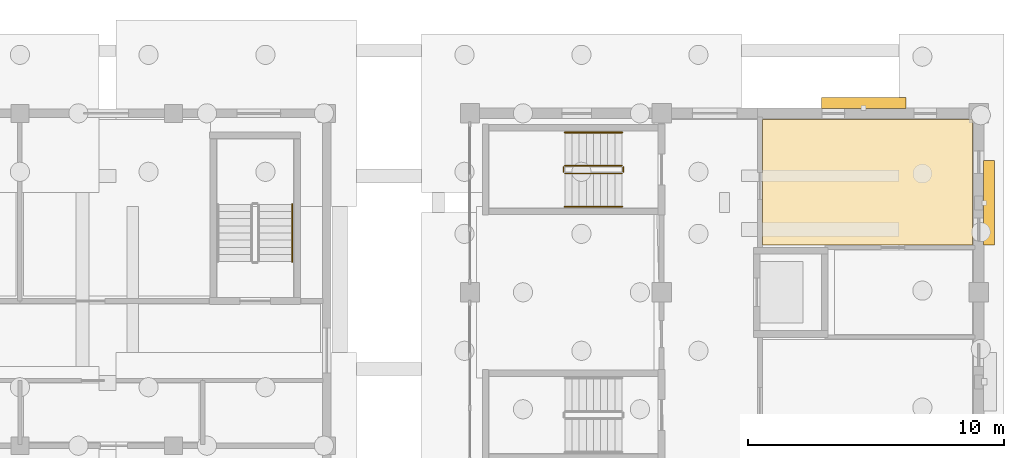
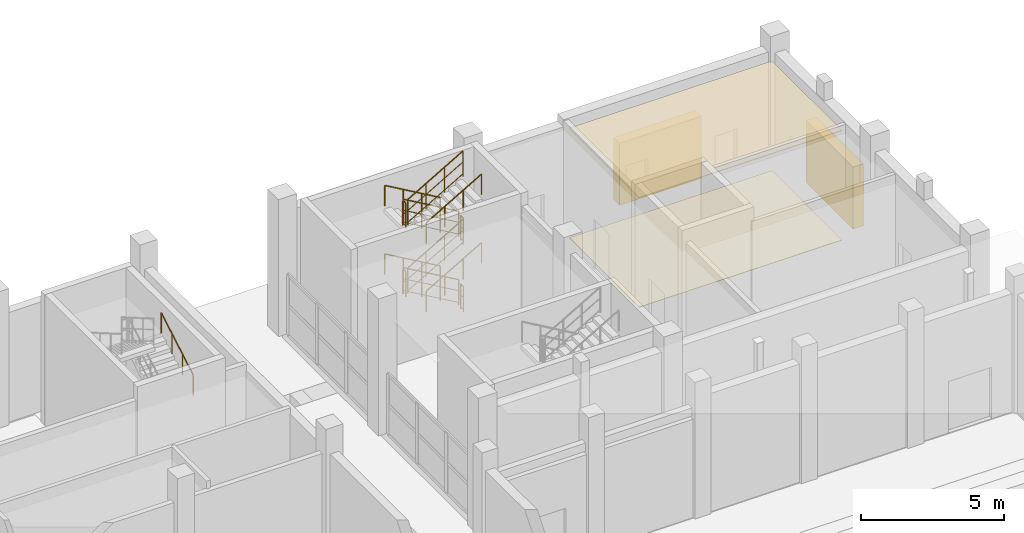
# One storey, part 59 of 60: 13 railings, 2 coverings, 2 shading devices.
"""IFC4 building model written with IfcOpenShell, lengths in metres."""

from ifc_helpers import new_model, si_unit, direction, frame, origin, origin_2d, place, context, subcontext, project, spatial, polyline, rectangle, circle, outline, extrude, material, layer, layer_set, type_object, element, save


model = new_model("IFC4")

# Units and contexts
model_context = context("Model", 3, precision=1e-05, world=origin(), true_north=direction((0.0, 1.0)))
body_context = subcontext(model_context, "Body", "Model", "MODEL_VIEW")
ifc_project = project(units=[si_unit("LENGTHUNIT", "METRE"), si_unit("AREAUNIT", "SQUARE_METRE"), si_unit("VOLUMEUNIT", "CUBIC_METRE"), si_unit("PLANEANGLEUNIT", "RADIAN"), si_unit("MASSUNIT", "GRAM", prefix="KILO")], contexts=[model_context])

# Site, building, storey
site_placement = place(None, origin())
site = spatial("IfcSite", under=ifc_project, at=site_placement, CompositionType="ELEMENT")
building_placement = place(site_placement, origin())
building = spatial("IfcBuilding", under=site, at=building_placement, Name="Trellovar Central Fire Station", CompositionType="ELEMENT")
storey_placement = place(building_placement, origin())
storey = spatial("IfcBuildingStorey", under=building, at=storey_placement, Name="L01", CompositionType="ELEMENT", Elevation=0.0)

# Coverings
ifc_material_1 = material(Name="Perforated acoustic mineral fiber ceiling tile", Category="mineral")
ifc_layer_1 = layer(ifc_material_1, 0.02490234375)
ifc_layer_set_1 = layer_set([ifc_layer_1], Name="Perforated acoustic mineral fiber ceiling tile")
covering_type_1 = type_object("IfcCoveringType", Name="COV-CLG1", PredefinedType="CEILING", material=ifc_layer_set_1)
covering_1_placement = place(storey_placement, frame((0.0, 0.0, 4.679931640625)))
element("IfcCovering", 1, at=covering_1_placement, inside=storey, type_object=covering_type_1, Name="Vertical Hose Drying Standpipe Base suspended ceiling", PredefinedType="CEILING", context=body_context, shape_type="SweptSolid", body=[
    extrude(outline(polyline([(160.75, 67.85009765625), (152.550048828125, 67.85009765625), (152.550048828125, 72.75), (160.75, 72.75), (160.75, 67.85009765625)])), origin(), (0.0, 0.0, 1.0), 0.025146484375),
])
ifc_material_2 = material(Name="Vitrified Catalan ceramic floor tile", Category="masonry")
ifc_layer_2 = layer(ifc_material_2, 0.01806640625)
ifc_layer_set_2 = layer_set([ifc_layer_2], Name="Vitrified Catalan ceramic floor tile")
covering_type_2 = type_object("IfcCoveringType", Name="COV-FLR2", PredefinedType="FLOORING", material=ifc_layer_set_2)
covering_2_placement = place(storey_placement, origin())
element("IfcCovering", 2, at=covering_2_placement, inside=storey, type_object=covering_type_2, Name="Vertical Hose Drying Standpipe Base floor finish", PredefinedType="FLOORING", context=body_context, shape_type="SweptSolid", body=[
    extrude(outline(polyline([(160.75, 67.85009765625), (152.550048828125, 67.85009765625), (152.550048828125, 72.75), (160.75, 72.75), (160.75, 67.85009765625)])), origin(), (0.0, 0.0, 1.0), 0.01806640625),
])

# Railings
ifc_material_3 = material(Name="Patina bronze wrought metalwork", Category="metal")
ifc_layer_3 = layer(ifc_material_3, 0.048095703125)
ifc_layer_set_3 = layer_set([ifc_layer_3], Name="Patina bronze wrought metalwork")
railing_type_1 = type_object("IfcRailingType", Name="RL-STAIR", PredefinedType="HANDRAIL", material=ifc_layer_set_3)
railing_1_placement = place(storey_placement, frame((147.050048828125, 72.25, 0.16259765625)))
element("IfcRailing", 3, at=railing_1_placement, inside=storey, type_object=railing_type_1, Name="L01 ST-06 stair handrail 1", PredefinedType="HANDRAIL", context=body_context, shape_type="SweptSolid", body=[
    extrude(circle(Radius=0.02392578125, at=origin_2d()), frame((0.0, 0.0, 0.8759765625), z_axis=(-0.864928887719, 0.0, 0.501894430323), x_axis=(0.0, -1.0, 0.0)), (0.0, 0.0, 1.0), 2.58984375),
    extrude(circle(Radius=0.02099609375, at=origin_2d()), origin(), (0.0, 0.0, 1.0), 0.851806640625),
    extrude(circle(Radius=0.02099609375, at=origin_2d()), frame((-0.74658203125, 0.0, 0.433349609375)), (0.0, 0.0, 1.0), 0.851806640625),
    extrude(circle(Radius=0.02099609375, at=origin_2d()), frame((-1.493408203125, 0.0, 0.866455078125)), (0.0, 0.0, 1.0), 0.851806640625),
    extrude(circle(Radius=0.02099609375, at=origin_2d()), frame((-2.239990234375, 0.0, 1.2998046875)), (0.0, 0.0, 1.0), 0.851806640625),
])
railing_2_placement = place(storey_placement, frame((144.81005859375, 69.35009765625, 1.625)))
element("IfcRailing", 4, at=railing_2_placement, inside=storey, type_object=railing_type_1, Name="L01 ST-06 stair handrail 2", PredefinedType="HANDRAIL", context=body_context, shape_type="SweptSolid", body=[
    extrude(circle(Radius=0.02392578125, at=origin_2d()), frame((0.0, 0.0, 0.8759765625), z_axis=(0.864887963814, 0.0, 0.501964949025), x_axis=(0.0, 1.0, 0.0)), (0.0, 0.0, 1.0), 2.58984375),
    extrude(circle(Radius=0.02099609375, at=origin_2d()), origin(), (0.0, 0.0, 1.0), 0.851806640625),
    extrude(circle(Radius=0.02099609375, at=origin_2d()), frame((0.74658203125, 0.0, 0.433349609375)), (0.0, 0.0, 1.0), 0.851806640625),
    extrude(circle(Radius=0.02099609375, at=origin_2d()), frame((1.493408203125, 0.0, 0.86669921875)), (0.0, 0.0, 1.0), 0.851806640625),
    extrude(circle(Radius=0.02099609375, at=origin_2d()), frame((2.239990234375, 0.0, 1.300048828125)), (0.0, 0.0, 1.0), 0.851806640625),
])
railing_3_placement = place(storey_placement, frame((147.050048828125, 72.25, 3.08740234375)))
element("IfcRailing", 5, at=railing_3_placement, inside=storey, type_object=railing_type_1, Name="L01 ST-06 stair handrail 3", PredefinedType="HANDRAIL", context=body_context, shape_type="SweptSolid", body=[
    extrude(circle(Radius=0.02392578125, at=origin_2d()), frame((0.0, 0.0, 0.8759765625), z_axis=(-0.864887963814, 0.0, 0.501964949025), x_axis=(0.0, -1.0, 0.0)), (0.0, 0.0, 1.0), 2.58984375),
    extrude(circle(Radius=0.02099609375, at=origin_2d()), origin(), (0.0, 0.0, 1.0), 0.851806640625),
    extrude(circle(Radius=0.02099609375, at=origin_2d()), frame((-0.74658203125, 0.0, 0.433349609375)), (0.0, 0.0, 1.0), 0.851806640625),
    extrude(circle(Radius=0.02099609375, at=origin_2d()), frame((-1.493408203125, 0.0, 0.86669921875)), (0.0, 0.0, 1.0), 0.851806640625),
    extrude(circle(Radius=0.02099609375, at=origin_2d()), frame((-2.239990234375, 0.0, 1.300048828125)), (0.0, 0.0, 1.0), 0.851806640625),
])
railing_4_placement = place(storey_placement, frame((144.81005859375, 69.35009765625, 4.550048828125)))
element("IfcRailing", 6, at=railing_4_placement, inside=storey, type_object=railing_type_1, Name="L01 ST-06 stair handrail 4", PredefinedType="HANDRAIL", context=body_context, shape_type="SweptSolid", body=[
    extrude(circle(Radius=0.02392578125, at=origin_2d()), frame((0.0, 0.0, 0.8759765625), z_axis=(0.864887963814, 0.0, 0.501964949025), x_axis=(0.0, 1.0, 0.0)), (0.0, 0.0, 1.0), 2.58984375),
    extrude(circle(Radius=0.02099609375, at=origin_2d()), origin(), (0.0, 0.0, 1.0), 0.851806640625),
    extrude(circle(Radius=0.02099609375, at=origin_2d()), frame((0.74658203125, 0.0, 0.433349609375)), (0.0, 0.0, 1.0), 0.851806640625),
    extrude(circle(Radius=0.02099609375, at=origin_2d()), frame((1.493408203125, 0.0, 0.86669921875)), (0.0, 0.0, 1.0), 0.851806640625),
    extrude(circle(Radius=0.02099609375, at=origin_2d()), frame((2.239990234375, 0.0, 1.300048828125)), (0.0, 0.0, 1.0), 0.851806640625),
])
railing_5_placement = place(storey_placement, frame((134.14990234375, 67.199951171875, 3.08740234375)))
element("IfcRailing", 7, at=railing_5_placement, inside=storey, type_object=railing_type_1, Name="L01 ST-08 stair handrail 3", PredefinedType="HANDRAIL", context=body_context, shape_type="SweptSolid", body=[
    extrude(circle(Radius=0.02392578125, at=origin_2d()), frame((0.0, 0.0, 0.8759765625), z_axis=(0.0, 0.864887963814, 0.501964949025), x_axis=(-1.0, 0.0, 0.0)), (0.0, 0.0, 1.0), 2.58984375),
    extrude(circle(Radius=0.02099609375, at=origin_2d()), origin(), (0.0, 0.0, 1.0), 0.851806640625),
    extrude(circle(Radius=0.02099609375, at=origin_2d()), frame((0.0, 0.74658203125, 0.433349609375)), (0.0, 0.0, 1.0), 0.851806640625),
    extrude(circle(Radius=0.02099609375, at=origin_2d()), frame((0.0, 1.493408203125, 0.86669921875)), (0.0, 0.0, 1.0), 0.851806640625),
    extrude(circle(Radius=0.02099609375, at=origin_2d()), frame((0.0, 2.239990234375, 1.300048828125)), (0.0, 0.0, 1.0), 0.851806640625),
])
ifc_material_4 = material(Name="Patina bronze wrought metalwork", Category="metal")
ifc_layer_4 = layer(ifc_material_4, 0.050048828125)
ifc_layer_set_4 = layer_set([ifc_layer_4], Name="Patina bronze wrought metalwork")
railing_type_2 = type_object("IfcRailingType", Name="RL-STGUARD", PredefinedType="GUARDRAIL", material=ifc_layer_set_4)
railing_6_placement = place(storey_placement, frame((147.050048828125, 70.949951171875, 0.16259765625)))
element("IfcRailing", 8, at=railing_6_placement, inside=storey, type_object=railing_type_2, Name="L01 ST-06 stair guard 1", PredefinedType="GUARDRAIL", context=body_context, shape_type="SweptSolid", body=[
    extrude(circle(Radius=0.02392578125, at=origin_2d()), frame((0.0, 0.0, 1.076171875), z_axis=(-0.864928887719, 0.0, 0.501894430323), x_axis=(0.0, -1.0, 0.0)), (0.0, 0.0, 1.0), 2.58984375),
    extrude(circle(Radius=0.015625, at=origin_2d()), frame((0.0, 0.0, 0.10009765625), z_axis=(-0.864928887719, 0.0, 0.501894430323), x_axis=(0.0, -1.0, 0.0)), (0.0, 0.0, 1.0), 2.58984375),
    extrude(circle(Radius=0.015625, at=origin_2d()), frame((0.0, 0.0, 0.60498046875), z_axis=(-0.864928887719, 0.0, 0.501894430323), x_axis=(0.0, -1.0, 0.0)), (0.0, 0.0, 1.0), 2.58984375),
    extrude(circle(Radius=0.02099609375, at=origin_2d()), origin(), (0.0, 0.0, 1.0), 1.052001953125),
    extrude(circle(Radius=0.02099609375, at=origin_2d()), frame((-0.74658203125, 0.0, 0.433349609375)), (0.0, 0.0, 1.0), 1.052001953125),
    extrude(circle(Radius=0.02099609375, at=origin_2d()), frame((-1.493408203125, 0.0, 0.866455078125)), (0.0, 0.0, 1.0), 1.052001953125),
    extrude(circle(Radius=0.02099609375, at=origin_2d()), frame((-2.239990234375, 0.0, 1.2998046875)), (0.0, 0.0, 1.0), 1.052001953125),
])
railing_7_placement = place(storey_placement, frame((144.760009765625, 70.89990234375, 1.46240234375)))
element("IfcRailing", 9, at=railing_7_placement, inside=storey, type_object=railing_type_2, Name="L01 ST-06 stair guard 2", PredefinedType="GUARDRAIL", context=body_context, shape_type="SweptSolid", body=[
    extrude(circle(Radius=0.02392578125, at=origin_2d()), frame((0.0, 0.0, 1.076171875), z_axis=(0.0, -1.0, 0.0), x_axis=(1.0, 0.0, 0.0)), (0.0, 0.0, 1.0), 0.199951171875),
    extrude(circle(Radius=0.015625, at=origin_2d()), frame((0.0, 0.0, 0.10009765625), z_axis=(0.0, -1.0, 0.0), x_axis=(1.0, 0.0, 0.0)), (0.0, 0.0, 1.0), 0.199951171875),
    extrude(circle(Radius=0.015625, at=origin_2d()), frame((0.0, 0.0, 0.60498046875), z_axis=(0.0, -1.0, 0.0), x_axis=(1.0, 0.0, 0.0)), (0.0, 0.0, 1.0), 0.199951171875),
    extrude(circle(Radius=0.02099609375, at=origin_2d()), origin(), (0.0, 0.0, 1.0), 1.052001953125),
    extrude(circle(Radius=0.02099609375, at=origin_2d()), frame((0.0, -0.199951171875, 0.0)), (0.0, 0.0, 1.0), 1.052001953125),
])
railing_8_placement = place(storey_placement, frame((144.81005859375, 70.64990234375, 1.625)))
element("IfcRailing", 10, at=railing_8_placement, inside=storey, type_object=railing_type_2, Name="L01 ST-06 stair guard 3", PredefinedType="GUARDRAIL", context=body_context, shape_type="SweptSolid", body=[
    extrude(circle(Radius=0.02392578125, at=origin_2d()), frame((0.0, 0.0, 1.076171875), z_axis=(0.864887963814, 0.0, 0.501964949025), x_axis=(0.0, 1.0, 0.0)), (0.0, 0.0, 1.0), 2.58984375),
    extrude(circle(Radius=0.015625, at=origin_2d()), frame((0.0, 0.0, 0.10009765625), z_axis=(0.864887963814, 0.0, 0.501964949025), x_axis=(0.0, 1.0, 0.0)), (0.0, 0.0, 1.0), 2.58984375),
    extrude(circle(Radius=0.015625, at=origin_2d()), frame((0.0, 0.0, 0.60498046875), z_axis=(0.864887963814, 0.0, 0.501964949025), x_axis=(0.0, 1.0, 0.0)), (0.0, 0.0, 1.0), 2.58984375),
    extrude(circle(Radius=0.02099609375, at=origin_2d()), origin(), (0.0, 0.0, 1.0), 1.052001953125),
    extrude(circle(Radius=0.02099609375, at=origin_2d()), frame((0.74658203125, 0.0, 0.433349609375)), (0.0, 0.0, 1.0), 1.052001953125),
    extrude(circle(Radius=0.02099609375, at=origin_2d()), frame((1.493408203125, 0.0, 0.86669921875)), (0.0, 0.0, 1.0), 1.052001953125),
    extrude(circle(Radius=0.02099609375, at=origin_2d()), frame((2.239990234375, 0.0, 1.300048828125)), (0.0, 0.0, 1.0), 1.052001953125),
])
railing_9_placement = place(storey_placement, frame((147.10009765625, 70.89990234375, 2.925048828125)))
element("IfcRailing", 11, at=railing_9_placement, inside=storey, type_object=railing_type_2, Name="L01 ST-06 stair guard 4", PredefinedType="GUARDRAIL", context=body_context, shape_type="SweptSolid", body=[
    extrude(circle(Radius=0.02392578125, at=origin_2d()), frame((0.0, 0.0, 1.076171875), z_axis=(0.0, -1.0, 0.0), x_axis=(1.0, 0.0, 0.0)), (0.0, 0.0, 1.0), 0.199951171875),
    extrude(circle(Radius=0.015625, at=origin_2d()), frame((0.0, 0.0, 0.10009765625), z_axis=(0.0, -1.0, 0.0), x_axis=(1.0, 0.0, 0.0)), (0.0, 0.0, 1.0), 0.199951171875),
    extrude(circle(Radius=0.015625, at=origin_2d()), frame((0.0, 0.0, 0.60498046875), z_axis=(0.0, -1.0, 0.0), x_axis=(1.0, 0.0, 0.0)), (0.0, 0.0, 1.0), 0.199951171875),
    extrude(circle(Radius=0.02099609375, at=origin_2d()), origin(), (0.0, 0.0, 1.0), 1.052001953125),
    extrude(circle(Radius=0.02099609375, at=origin_2d()), frame((0.0, -0.199951171875, 0.0)), (0.0, 0.0, 1.0), 1.052001953125),
])
railing_10_placement = place(storey_placement, frame((147.050048828125, 70.949951171875, 3.08740234375)))
element("IfcRailing", 12, at=railing_10_placement, inside=storey, type_object=railing_type_2, Name="L01 ST-06 stair guard 5", PredefinedType="GUARDRAIL", context=body_context, shape_type="SweptSolid", body=[
    extrude(circle(Radius=0.02392578125, at=origin_2d()), frame((0.0, 0.0, 1.076171875), z_axis=(-0.864887963814, 0.0, 0.501964949025), x_axis=(0.0, -1.0, 0.0)), (0.0, 0.0, 1.0), 2.58984375),
    extrude(circle(Radius=0.015625, at=origin_2d()), frame((0.0, 0.0, 0.10009765625), z_axis=(-0.864887963814, 0.0, 0.501964949025), x_axis=(0.0, -1.0, 0.0)), (0.0, 0.0, 1.0), 2.58984375),
    extrude(circle(Radius=0.015625, at=origin_2d()), frame((0.0, 0.0, 0.60498046875), z_axis=(-0.864887963814, 0.0, 0.501964949025), x_axis=(0.0, -1.0, 0.0)), (0.0, 0.0, 1.0), 2.58984375),
    extrude(circle(Radius=0.02099609375, at=origin_2d()), origin(), (0.0, 0.0, 1.0), 1.052001953125),
    extrude(circle(Radius=0.02099609375, at=origin_2d()), frame((-0.74658203125, 0.0, 0.433349609375)), (0.0, 0.0, 1.0), 1.052001953125),
    extrude(circle(Radius=0.02099609375, at=origin_2d()), frame((-1.493408203125, 0.0, 0.86669921875)), (0.0, 0.0, 1.0), 1.052001953125),
    extrude(circle(Radius=0.02099609375, at=origin_2d()), frame((-2.239990234375, 0.0, 1.300048828125)), (0.0, 0.0, 1.0), 1.052001953125),
])
railing_11_placement = place(storey_placement, frame((144.760009765625, 70.89990234375, 4.387451171875)))
element("IfcRailing", 13, at=railing_11_placement, inside=storey, type_object=railing_type_2, Name="L01 ST-06 stair guard 6", PredefinedType="GUARDRAIL", context=body_context, shape_type="SweptSolid", body=[
    extrude(circle(Radius=0.02392578125, at=origin_2d()), frame((0.0, 0.0, 1.076171875), z_axis=(0.0, -1.0, 0.0), x_axis=(1.0, 0.0, 0.0)), (0.0, 0.0, 1.0), 0.199951171875),
    extrude(circle(Radius=0.015625, at=origin_2d()), frame((0.0, 0.0, 0.10009765625), z_axis=(0.0, -1.0, 0.0), x_axis=(1.0, 0.0, 0.0)), (0.0, 0.0, 1.0), 0.199951171875),
    extrude(circle(Radius=0.015625, at=origin_2d()), frame((0.0, 0.0, 0.60498046875), z_axis=(0.0, -1.0, 0.0), x_axis=(1.0, 0.0, 0.0)), (0.0, 0.0, 1.0), 0.199951171875),
    extrude(circle(Radius=0.02099609375, at=origin_2d()), origin(), (0.0, 0.0, 1.0), 1.052001953125),
    extrude(circle(Radius=0.02099609375, at=origin_2d()), frame((0.0, -0.199951171875, 0.0)), (0.0, 0.0, 1.0), 1.052001953125),
])
railing_12_placement = place(storey_placement, frame((144.81005859375, 70.64990234375, 4.550048828125)))
element("IfcRailing", 14, at=railing_12_placement, inside=storey, type_object=railing_type_2, Name="L01 ST-06 stair guard 7", PredefinedType="GUARDRAIL", context=body_context, shape_type="SweptSolid", body=[
    extrude(circle(Radius=0.02392578125, at=origin_2d()), frame((0.0, 0.0, 1.076171875), z_axis=(0.864887963814, 0.0, 0.501964949025), x_axis=(0.0, 1.0, 0.0)), (0.0, 0.0, 1.0), 2.58984375),
    extrude(circle(Radius=0.015625, at=origin_2d()), frame((0.0, 0.0, 0.10009765625), z_axis=(0.864887963814, 0.0, 0.501964949025), x_axis=(0.0, 1.0, 0.0)), (0.0, 0.0, 1.0), 2.58984375),
    extrude(circle(Radius=0.015625, at=origin_2d()), frame((0.0, 0.0, 0.60498046875), z_axis=(0.864887963814, 0.0, 0.501964949025), x_axis=(0.0, 1.0, 0.0)), (0.0, 0.0, 1.0), 2.58984375),
    extrude(circle(Radius=0.02099609375, at=origin_2d()), origin(), (0.0, 0.0, 1.0), 1.052001953125),
    extrude(circle(Radius=0.02099609375, at=origin_2d()), frame((0.74658203125, 0.0, 0.433349609375)), (0.0, 0.0, 1.0), 1.052001953125),
    extrude(circle(Radius=0.02099609375, at=origin_2d()), frame((1.493408203125, 0.0, 0.86669921875)), (0.0, 0.0, 1.0), 1.052001953125),
    extrude(circle(Radius=0.02099609375, at=origin_2d()), frame((2.239990234375, 0.0, 1.300048828125)), (0.0, 0.0, 1.0), 1.052001953125),
])
railing_13_placement = place(storey_placement, frame((147.10009765625, 70.89990234375, 0.0)))
element("IfcRailing", 15, at=railing_13_placement, inside=storey, type_object=railing_type_2, Name="L01 ST-06 stair guard 8", PredefinedType="GUARDRAIL", context=body_context, shape_type="SweptSolid", body=[
    extrude(circle(Radius=0.02392578125, at=origin_2d()), frame((0.0, 0.0, 1.076171875), z_axis=(0.0, -1.0, 0.0), x_axis=(1.0, 0.0, 0.0)), (0.0, 0.0, 1.0), 0.199951171875),
    extrude(circle(Radius=0.015625, at=origin_2d()), frame((0.0, 0.0, 0.10009765625), z_axis=(0.0, -1.0, 0.0), x_axis=(1.0, 0.0, 0.0)), (0.0, 0.0, 1.0), 0.199951171875),
    extrude(circle(Radius=0.015625, at=origin_2d()), frame((0.0, 0.0, 0.60498046875), z_axis=(0.0, -1.0, 0.0), x_axis=(1.0, 0.0, 0.0)), (0.0, 0.0, 1.0), 0.199951171875),
    extrude(circle(Radius=0.02099609375, at=origin_2d()), origin(), (0.0, 0.0, 1.0), 1.052001953125),
    extrude(circle(Radius=0.02099609375, at=origin_2d()), frame((0.0, -0.199951171875, 0.0)), (0.0, 0.0, 1.0), 1.052001953125),
])

# Shading devices
ifc_material_5 = material(Name="Glazed ceramic trencadis and terracotta panel", Category="masonry")
shading_device_type = type_object("IfcShadingDeviceType", Name="SHD-LV3", PredefinedType="JALOUSIE", material=ifc_material_5)
for number, where, z_axis, x_axis, name in (
    (16, (156.5, 73.405029296875, 0.324951171875), (0.0, 0.0, 1.0), (1.0, 0.0, 0.0), "L01 Catalan solar brise-soleil LV-3"),
    (17, (161.405029296875, 69.5, 0.324951171875), (0.0, 0.0, 1.0), (0.0, 1.0, 0.0), "L01 Catalan solar brise-soleil LV-3"),
):
    element("IfcShadingDevice", number, at=place(storey_placement, frame(where, z_axis=z_axis, x_axis=x_axis)), inside=storey, type_object=shading_device_type, Name=name, PredefinedType="JALOUSIE", context=body_context, shape_type="SweptSolid", body=[
        extrude(rectangle(XDim=3.300048828125, YDim=0.419921875, at=origin_2d()), origin(), (0.0, 0.0, 1.0), 2.64990234375),
    ])

save(model, "model.ifc")
